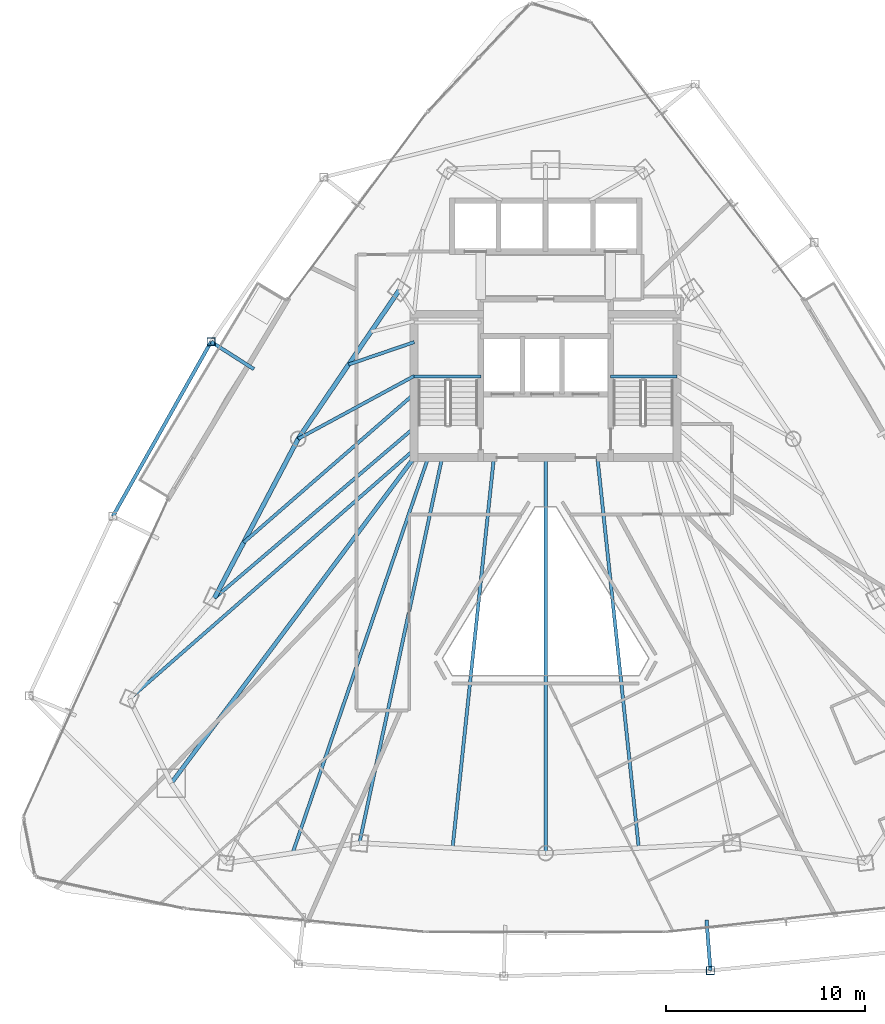
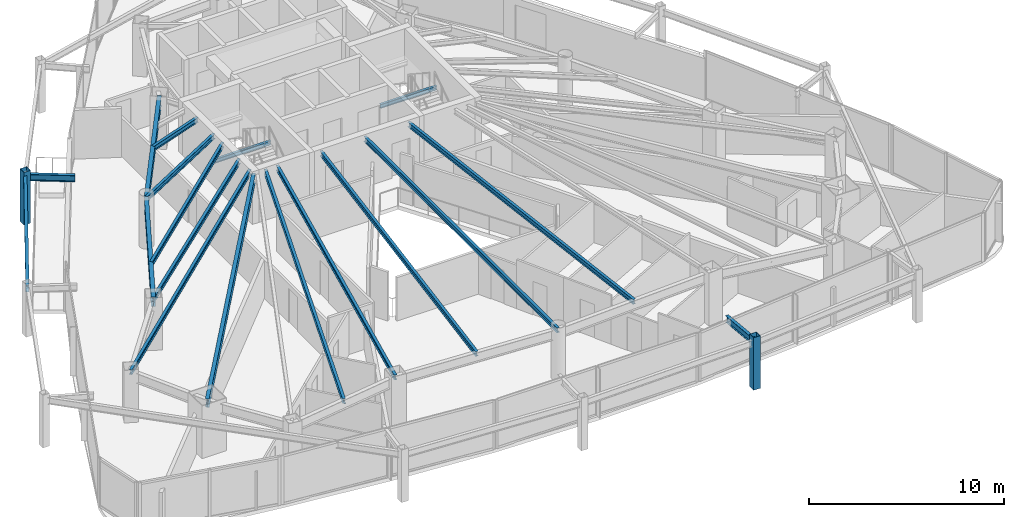
# One storey, part 10 of 31: 18 beams, 2 members.
"""IFC4 building model written with IfcOpenShell, lengths in metres."""

from ifc_helpers import new_model, si_unit, direction, frame, origin, origin_2d, place, context, subcontext, project, spatial, hollow_rectangle, i_section, extrude, material, material_profile, profile_set, type_object, element, save


model = new_model("IFC4")

# Units and contexts
model_context = context("Model", 3, precision=1e-05, world=origin(), true_north=direction((0.0, 1.0)))
body_context = subcontext(model_context, "Body", "Model", "MODEL_VIEW")
ifc_project = project(units=[si_unit("LENGTHUNIT", "METRE"), si_unit("AREAUNIT", "SQUARE_METRE"), si_unit("VOLUMEUNIT", "CUBIC_METRE"), si_unit("PLANEANGLEUNIT", "RADIAN"), si_unit("MASSUNIT", "GRAM", prefix="KILO")], contexts=[model_context])

# Site, building, storey
site_placement = place(None, origin())
site = spatial("IfcSite", under=ifc_project, at=site_placement, CompositionType="ELEMENT")
building_placement = place(site_placement, origin())
building = spatial("IfcBuilding", under=site, at=building_placement, Name="Orvanel Arch Residences", CompositionType="ELEMENT")
storey_placement = place(building_placement, frame((0.0, 0.0, 110.0)))
storey = spatial("IfcBuildingStorey", under=building, at=storey_placement, Name="L30", CompositionType="ELEMENT", Elevation=110.0)

# Beams
ifc_material_1 = material(Name="Structural steel AS/NZS 3679.1 Grade 300 (300 MPa)", Category="steel")
ifc_material_profile_1 = material_profile(ifc_material_1, i_section(OverallWidth=0.208984375, OverallDepth=0.532958984375, WebThickness=0.01025390625, FlangeThickness=0.015625, at=origin_2d()), Name="530UB92.4")
ifc_profile_set_1 = profile_set([ifc_material_profile_1], Name="Structural steel AS/NZS 3679.1 Grade 300 (300 MPa)")
beam_type_1 = type_object("IfcBeamType", Name="BG-530UB", PredefinedType="BEAM", material=ifc_profile_set_1)
beam_1_placement = place(storey_placement, frame((26.375, 26.675048828125, 2.7939453125), z_axis=(-0.597893733742, -0.801575375839, 0.0), x_axis=(0.801575375839, -0.597893733742, 0.0)))
element("IfcBeam", 1, at=beam_1_placement, inside=storey, type_object=beam_type_1, Name="L30 South-West Radial Girder", PredefinedType="BEAM", context=body_context, shape_type="SweptSolid", body=[
    extrude(i_section(OverallWidth=0.208984375, OverallDepth=0.532958984375, WebThickness=0.01025390625, FlangeThickness=0.015625, at=origin_2d()), origin(), (0.0, 0.0, 1.0), 20.36474609375),
])
ifc_material_profile_2 = material_profile(ifc_material_1, i_section(OverallWidth=0.14599609375, OverallDepth=0.251953125, WebThickness=0.006103515625, FlangeThickness=0.008544921875, at=origin_2d()), Name="250UB31.4")
ifc_profile_set_2 = profile_set([ifc_material_profile_2], Name="Structural steel AS/NZS 3679.1 Grade 300 (300 MPa)")
beam_type_2 = type_object("IfcBeamType", Name="BJ-250UB", PredefinedType="JOIST", material=ifc_profile_set_2)
for number, where, z_axis, x_axis, name in (
    (2, (26.39990234375, 30.780029296875, 1.323974609375), (1.0, 0.0, 0.0), (0.0, 1.0, 0.0), "L30 ST-1 Half-Landing Support Beam 1.1"),
    (3, (36.25, 30.780029296875, 1.323974609375), (1.0, 0.0, 0.0), (0.0, 1.0, 0.0), "L30 ST-2 Half-Landing Support Beam 1.1"),
):
    element("IfcBeam", number, at=place(storey_placement, frame(where, z_axis=z_axis, x_axis=x_axis)), inside=storey, type_object=beam_type_2, Name=name, PredefinedType="JOIST", context=body_context, shape_type="SweptSolid", body=[
        extrude(i_section(OverallWidth=0.14599609375, OverallDepth=0.251953125, WebThickness=0.006103515625, FlangeThickness=0.008544921875, at=origin_2d()), origin(), (0.0, 0.0, 1.0), 3.35009765625),
    ])
ifc_material_profile_3 = material_profile(ifc_material_1, i_section(OverallWidth=0.1650390625, OverallDepth=0.303955078125, WebThickness=0.006103515625, FlangeThickness=0.01025390625, at=origin_2d()), Name="310UB40.4")
ifc_profile_set_3 = profile_set([ifc_material_profile_3], Name="Structural steel AS/NZS 3679.1 Grade 300 (300 MPa)")
beam_type_3 = type_object("IfcBeamType", Name="BJ-310UB", PredefinedType="JOIST", material=ifc_profile_set_3)
beam_2_placement = place(storey_placement, frame((26.39990234375, 30.800048828125, 2.907958984375), z_axis=(-0.87925534649, -0.476350748576, 0.0), x_axis=(0.476350748576, -0.87925534649, 0.0)))
element("IfcBeam", 4, at=beam_2_placement, inside=storey, type_object=beam_type_3, Name="L30 NW Wing Floor Joist", PredefinedType="JOIST", context=body_context, shape_type="SweptSolid", body=[
    extrude(i_section(OverallWidth=0.1650390625, OverallDepth=0.303955078125, WebThickness=0.006103515625, FlangeThickness=0.01025390625, at=origin_2d()), origin(), (0.0, 0.0, 1.0), 6.631591796875),
])
beam_3_placement = place(storey_placement, frame((26.39990234375, 28.199951171875, 2.907958984375), z_axis=(-0.760821315761, -0.648961420644, 0.0), x_axis=(0.648961420644, -0.760821315761, 0.0)))
element("IfcBeam", 5, at=beam_3_placement, inside=storey, type_object=beam_type_3, Name="L30 W Wing Floor Joist", PredefinedType="JOIST", context=body_context, shape_type="SweptSolid", body=[
    extrude(i_section(OverallWidth=0.1650390625, OverallDepth=0.303955078125, WebThickness=0.006103515625, FlangeThickness=0.01025390625, at=origin_2d()), origin(), (0.0, 0.0, 1.0), 13.18701171875),
])
beam_4_placement = place(storey_placement, frame((27.800048828125, 26.699951171875, 2.907958984375), z_axis=(-0.209808012425, -0.977742603103, 0.0), x_axis=(0.977742603103, -0.209808012425, 0.0)))
element("IfcBeam", 6, at=beam_4_placement, inside=storey, type_object=beam_type_3, Name="L30 SW Wing Floor Joist", PredefinedType="JOIST", context=body_context, shape_type="SweptSolid", body=[
    extrude(i_section(OverallWidth=0.1650390625, OverallDepth=0.303955078125, WebThickness=0.006103515625, FlangeThickness=0.01025390625, at=origin_2d()), origin(), (0.0, 0.0, 1.0), 19.785400390625),
])
beam_5_placement = place(storey_placement, frame((33.0, 26.699951171875, 2.907958984375), z_axis=(0.0, -1.0, 0.0), x_axis=(1.0, 0.0, 0.0)))
element("IfcBeam", 7, at=beam_5_placement, inside=storey, type_object=beam_type_3, Name="L30 SSW Wing Floor Joist", PredefinedType="JOIST", context=body_context, shape_type="SweptSolid", body=[
    extrude(i_section(OverallWidth=0.1650390625, OverallDepth=0.303955078125, WebThickness=0.006103515625, FlangeThickness=0.01025390625, at=origin_2d()), origin(), (0.0, 0.0, 1.0), 19.85595703125),
])
beam_6_placement = place(storey_placement, frame((26.39990234375, 32.5, 2.907958984375), z_axis=(-0.946441958332, -0.322873999431, 0.0), x_axis=(0.322873999431, -0.946441958332, 0.0)))
element("IfcBeam", 8, at=beam_6_placement, inside=storey, type_object=beam_type_3, Name="L30 WNW Wing Floor Joist", PredefinedType="JOIST", context=body_context, shape_type="SweptSolid", body=[
    extrude(i_section(OverallWidth=0.1650390625, OverallDepth=0.303955078125, WebThickness=0.006103515625, FlangeThickness=0.01025390625, at=origin_2d()), origin(), (0.0, 0.0, 1.0), 3.478271484375),
])
for number, where, z_axis, x_axis, name in (
    (9, (30.39990234375, 26.699951171875, 2.907958984375), (-0.105277340935, -0.994442900063, 0.0), (0.994442900063, -0.105277340935, 0.0), "L30 WSW2 Wing Floor Joist"),
    (10, (35.60009765625, 26.699951171875, 2.907958984375), (0.105277340935, -0.994442900063, 0.0), (0.994442900063, 0.105277340935, 0.0), "L30 ESE2 Wing Floor Joist"),
):
    element("IfcBeam", number, at=place(storey_placement, frame(where, z_axis=z_axis, x_axis=x_axis)), inside=storey, type_object=beam_type_3, Name=name, PredefinedType="JOIST", context=body_context, shape_type="SweptSolid", body=[
        extrude(i_section(OverallWidth=0.1650390625, OverallDepth=0.303955078125, WebThickness=0.006103515625, FlangeThickness=0.01025390625, at=origin_2d()), origin(), (0.0, 0.0, 1.0), 19.70947265625),
    ])
beam_7_placement = place(storey_placement, frame((26.39990234375, 27.10009765625, 2.907958984375), z_axis=(-0.752493154183, -0.658600070534, 0.0), x_axis=(0.658600070534, -0.752493154183, 0.0)))
element("IfcBeam", 11, at=beam_7_placement, inside=storey, type_object=beam_type_3, Name="L30 MW Wing Floor Joist", PredefinedType="JOIST", context=body_context, shape_type="SweptSolid", body=[
    extrude(i_section(OverallWidth=0.1650390625, OverallDepth=0.303955078125, WebThickness=0.006103515625, FlangeThickness=0.01025390625, at=origin_2d()), origin(), (0.0, 0.0, 1.0), 19.010009765625),
])
beam_8_placement = place(storey_placement, frame((26.39990234375, 29.89990234375, 2.907958984375), z_axis=(-0.754047930849, -0.656819395254, 0.0), x_axis=(0.656819395254, -0.754047930849, 0.0)))
element("IfcBeam", 12, at=beam_8_placement, inside=storey, type_object=beam_type_3, Name="L30 CTW Wing Floor Joist", PredefinedType="JOIST", context=body_context, shape_type="SweptSolid", body=[
    extrude(i_section(OverallWidth=0.1650390625, OverallDepth=0.303955078125, WebThickness=0.006103515625, FlangeThickness=0.01025390625, at=origin_2d()), origin(), (0.0, 0.0, 1.0), 11.354736328125),
])
beam_9_placement = place(storey_placement, frame((27.10009765625, 26.699951171875, 2.907958984375), z_axis=(-0.324257108963, -0.945968988544, 0.0), x_axis=(0.945968988544, -0.324257108963, 0.0)))
element("IfcBeam", 13, at=beam_9_placement, inside=storey, type_object=beam_type_3, Name="L30 JADD1 Wing Floor Joist", PredefinedType="JOIST", context=body_context, shape_type="SweptSolid", body=[
    extrude(i_section(OverallWidth=0.1650390625, OverallDepth=0.303955078125, WebThickness=0.006103515625, FlangeThickness=0.01025390625, at=origin_2d()), origin(), (0.0, 0.0, 1.0), 20.987060546875),
])
ifc_material_profile_4 = material_profile(ifc_material_1, i_section(OverallWidth=0.177978515625, OverallDepth=0.406005859375, WebThickness=0.0078125, FlangeThickness=0.0126953125, at=origin_2d()), Name="410UB59.7")
ifc_profile_set_4 = profile_set([ifc_material_profile_4], Name="Structural steel AS/NZS 3679.1 Grade 300 (300 MPa)")
beam_type_4 = type_object("IfcBeamType", Name="OB-410UB-EXT", PredefinedType="SPANDREL", material=ifc_profile_set_4)
beam_10_placement = place(storey_placement, frame((18.35009765625, 31.14404296875, 2.85693359375), z_axis=(-0.842702291997, 0.538379835305, 0.0), x_axis=(-0.538379835305, -0.842702291997, 0.0)))
element("IfcBeam", 14, at=beam_10_placement, inside=storey, type_object=beam_type_4, Name="L30 Outer Frame Radial Tie Beam 02", PredefinedType="SPANDREL", context=body_context, shape_type="SweptSolid", body=[
    extrude(i_section(OverallWidth=0.177978515625, OverallDepth=0.406005859375, WebThickness=0.0078125, FlangeThickness=0.0126953125, at=origin_2d()), origin(), (0.0, 0.0, 1.0), 2.55029296875),
])
beam_11_placement = place(storey_placement, frame((16.200927734375, 32.51708984375, 2.85693359375), z_axis=(-0.49068450457, -0.871337315266, 0.0), x_axis=(0.871337315266, -0.49068450457, 0.0)))
element("IfcBeam", 15, at=beam_11_placement, inside=storey, type_object=beam_type_4, Name="L30 Outer Perimeter Floor Ring Beam 02", PredefinedType="SPANDREL", context=body_context, shape_type="SweptSolid", body=[
    extrude(i_section(OverallWidth=0.177978515625, OverallDepth=0.406005859375, WebThickness=0.0078125, FlangeThickness=0.0126953125, at=origin_2d()), origin(), (0.0, 0.0, 1.0), 10.049072265625),
])
beam_12_placement = place(storey_placement, frame((41.076904296875, 3.489013671875, 2.85693359375), z_axis=(0.077245465529, -0.99701210527, 0.0), x_axis=(0.99701210527, 0.077245465529, 0.0)))
element("IfcBeam", 16, at=beam_12_placement, inside=storey, type_object=beam_type_4, Name="L30 Outer Frame Radial Tie Beam 07", PredefinedType="SPANDREL", context=body_context, shape_type="SweptSolid", body=[
    extrude(i_section(OverallWidth=0.177978515625, OverallDepth=0.406005859375, WebThickness=0.0078125, FlangeThickness=0.0126953125, at=origin_2d()), origin(), (0.0, 0.0, 1.0), 2.550537109375),
])
ifc_material_profile_5 = material_profile(ifc_material_1, i_section(OverallWidth=0.22900390625, OverallDepth=0.612060546875, WebThickness=0.011962890625, FlangeThickness=0.01953125, at=origin_2d()), Name="610UB125")
ifc_profile_set_5 = profile_set([ifc_material_profile_5], Name="Structural steel AS/NZS 3679.1 Grade 300 (300 MPa)")
beam_type_5 = type_object("IfcBeamType", Name="SP-610UB", PredefinedType="SPANDREL", material=ifc_profile_set_5)
beam_13_placement = place(storey_placement, frame((25.64794921875, 35.113037109375, 2.75390625), z_axis=(-0.562154793153, -0.827032035978, 0.0), x_axis=(0.827032035978, -0.562154793153, 0.0)))
element("IfcBeam", 17, at=beam_13_placement, inside=storey, type_object=beam_type_5, Name="L30 Perimeter Spandrel Beam 17", PredefinedType="SPANDREL", context=body_context, shape_type="SweptSolid", body=[
    extrude(i_section(OverallWidth=0.22900390625, OverallDepth=0.612060546875, WebThickness=0.011962890625, FlangeThickness=0.01953125, at=origin_2d()), origin(), (0.0, 0.0, 1.0), 9.03466796875),
])
beam_14_placement = place(storey_placement, frame((20.569091796875, 27.64111328125, 2.75390625), z_axis=(-0.465064762793, -0.885276660942, 0.0), x_axis=(0.885276660942, -0.465064762793, 0.0)))
element("IfcBeam", 18, at=beam_14_placement, inside=storey, type_object=beam_type_5, Name="L30 Perimeter Spandrel Beam 18", PredefinedType="SPANDREL", context=body_context, shape_type="SweptSolid", body=[
    extrude(i_section(OverallWidth=0.22900390625, OverallDepth=0.612060546875, WebThickness=0.011962890625, FlangeThickness=0.01953125, at=origin_2d()), origin(), (0.0, 0.0, 1.0), 9.03564453125),
])

# Members
ifc_material_2 = material(Name="Structural steel AS/NZS 1163 C450L0 (Grade 450)", Category="steel")
ifc_material_profile_6 = material_profile(ifc_material_2, hollow_rectangle(XDim=0.39990234375, YDim=0.39990234375, WallThickness=0.01611328125, at=origin_2d()), Name="SHS400x400x16")
ifc_profile_set_6 = profile_set([ifc_material_profile_6], Name="Structural steel AS/NZS 1163 C450L0 (Grade 450)")
member_type = type_object("IfcMemberType", Name="ST-400SHS-EXT", PredefinedType="STRUT", material=ifc_profile_set_6)
for number, where, z_axis, x_axis, name in (
    (19, (16.200927734375, 32.51708984375, 0.0), (0.0, 0.0, 1.0), (1.0, 0.0, 0.0), "L30 Outer Perimeter Frame Post 02"),
    (20, (41.27392578125, 0.946044921875, 0.0), (0.0, 0.0, 1.0), (1.0, 0.0, 0.0), "L30 Outer Perimeter Frame Post 07"),
):
    element("IfcMember", number, at=place(storey_placement, frame(where, z_axis=z_axis, x_axis=x_axis)), inside=storey, type_object=member_type, Name=name, PredefinedType="STRUT", context=body_context, shape_type="SweptSolid", body=[
        extrude(hollow_rectangle(XDim=0.39990234375, YDim=0.39990234375, WallThickness=0.01611328125, at=origin_2d()), origin(), (0.0, 0.0, 1.0), 3.300048828125),
    ])

save(model, "model.ifc")
